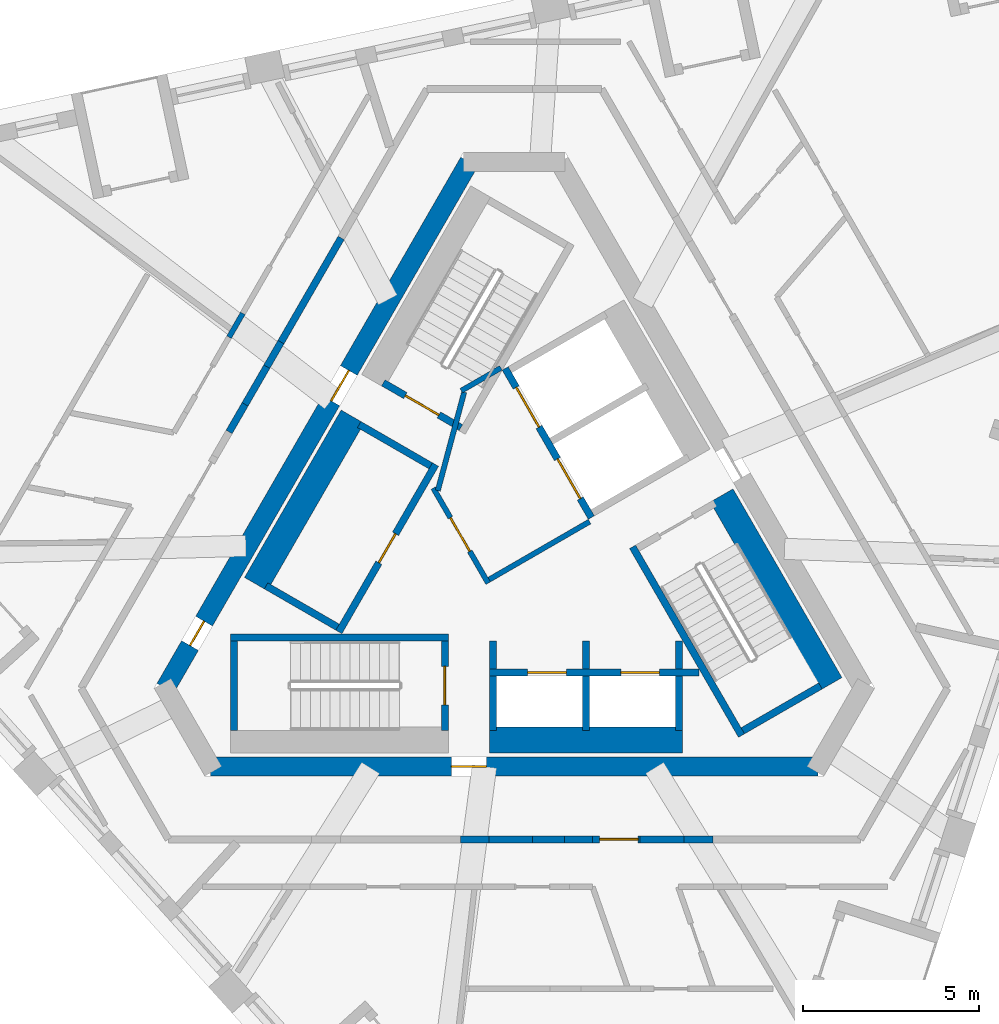
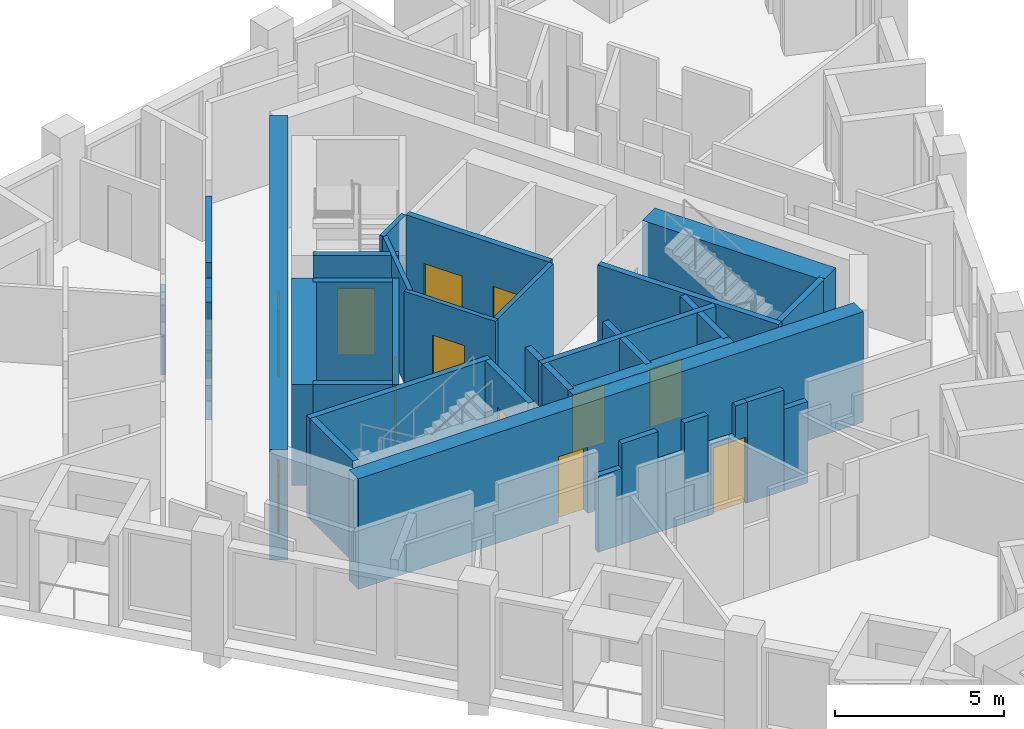
# One storey, part 4 of 12: 38 walls, 12 doors, 12 openings.
"""IFC4 building model written with IfcOpenShell, lengths in metres."""

from ifc_helpers import new_model, si_unit, direction, frame, frame_2d, origin, place, context, subcontext, project, spatial, polyline, rectangle, outline, extrude, material, layer, layer_set, type_object, element, fill, save


model = new_model("IFC4")

# Units and contexts
model_context = context("Model", 3, precision=1e-05, world=origin(), true_north=direction((0.0, 1.0)))
body_context = subcontext(model_context, "Body", "Model", "MODEL_VIEW")
ifc_project = project(units=[si_unit("LENGTHUNIT", "METRE"), si_unit("AREAUNIT", "SQUARE_METRE"), si_unit("VOLUMEUNIT", "CUBIC_METRE"), si_unit("PLANEANGLEUNIT", "RADIAN"), si_unit("MASSUNIT", "GRAM", prefix="KILO")], contexts=[model_context])

# Site, building, storey
site_placement = place(None, origin())
site = spatial("IfcSite", under=ifc_project, at=site_placement, CompositionType="ELEMENT")
building_placement = place(site_placement, origin())
building = spatial("IfcBuilding", under=site, at=building_placement, Name="Tramontana Tower", CompositionType="ELEMENT")
storey_placement = place(building_placement, frame((0.0, 0.0, 320.39990234375)))
storey = spatial("IfcBuildingStorey", under=building, at=storey_placement, Name="L73", CompositionType="ELEMENT", Elevation=320.39990234375)

# Wall, openings, doors
ifc_material_1 = material(Name="Concrete 70 MPa", Category="concrete")
ifc_layer_1 = layer(ifc_material_1, 0.550048828125)
ifc_layer_set_1 = layer_set([ifc_layer_1], Name="Core wall 550 70 MPa")
wall_type_1 = type_object("IfcWallType", Name="Core wall 550 70 MPa", PredefinedType="SHEAR", material=ifc_layer_set_1)
wall_1_placement = place(storey_placement, frame((-1.28466796875, 10.72509765625, 0.0), z_axis=(0.0, 0.0, 1.0), x_axis=(-0.499994590896, -0.86602852671, 0.0)))
wall_1 = element("IfcWall", 1, at=wall_1_placement, inside=storey, type_object=wall_type_1, Name="Core wall C1 L73", PredefinedType="SHEAR", context=body_context, shape_type="SweptSolid", body=[
    extrude(rectangle(XDim=17.291748046875, YDim=0.550048828125, at=frame_2d((8.64599609375, 0.0))), origin(), (0.0, 0.0, 1.0), 4.0),
])
opening_1_placement = place(wall_1_placement, frame((6.850830078125, 0.0, 0.0)))
opening_1 = element("IfcOpeningElement", 2, at=opening_1_placement, cuts=wall_1, Name="Opening RG1", PredefinedType="OPENING", context=body_context, shape_type="SweptSolid", body=[
    extrude(rectangle(XDim=1.0, YDim=2.39990234375, at=frame_2d((0.5, 1.199951171875))), frame((0.0, 0.284912109375, 0.0), z_axis=(0.0, -1.0, 0.0), x_axis=(1.0, 0.0, 0.0)), (0.0, 0.0, 1.0), 0.570068359375),
])
opening_2_placement = place(wall_1_placement, frame((15.0888671875, 0.0, 0.0)))
opening_2 = element("IfcOpeningElement", 3, at=opening_2_placement, cuts=wall_1, Name="Opening PD1", PredefinedType="OPENING", context=body_context, shape_type="SweptSolid", body=[
    extrude(rectangle(XDim=0.800048828125, YDim=2.10009765625, at=frame_2d((0.39990234375, 1.050048828125))), frame((0.0, 0.284912109375, 0.0), z_axis=(0.0, -1.0, 0.0), x_axis=(1.0, 0.0, 0.0)), (0.0, 0.0, 1.0), 0.570068359375),
])
ifc_material_2 = material(Name="Painted steel", Category="steel")
door_type_1 = type_object("IfcDoorType", Name="CUPBOARD DOOR 800", OperationType="SINGLE_SWING_LEFT", PredefinedType="DOOR", material=ifc_material_2)
door_1_placement = place(opening_2_placement, origin())
door_1 = element("IfcDoor", 4, at=door_1_placement, inside=storey, type_object=door_type_1, Name="Door PD1", OperationType="SINGLE_SWING_RIGHT", OverallHeight=2.10009765625, OverallWidth=0.800048828125, PredefinedType="DOOR", context=body_context, shape_type="SweptSolid", body=[
    extrude(rectangle(XDim=0.800048828125, YDim=2.10009765625, at=frame_2d((0.39990234375, 1.050048828125))), frame((0.0, 0.02490234375, 0.0), z_axis=(0.0, -1.0, 0.0), x_axis=(1.0, 0.0, 0.0)), (0.0, 0.0, 1.0), 0.050048828125),
])
fill(opening_2, door_1)
ifc_material_3 = material(Name="Painted steel", Category="steel")
door_type_2 = type_object("IfcDoorType", Name="RING DOOR 1000", OperationType="SINGLE_SWING_LEFT", PredefinedType="DOOR", material=ifc_material_3)
door_2_placement = place(opening_1_placement, origin())
door_2 = element("IfcDoor", 5, at=door_2_placement, inside=storey, type_object=door_type_2, Name="Door RG1", OperationType="SINGLE_SWING_LEFT", OverallHeight=2.39990234375, OverallWidth=1.0, PredefinedType="DOOR", context=body_context, shape_type="SweptSolid", body=[
    extrude(rectangle(XDim=1.0, YDim=2.39990234375, at=frame_2d((0.5, 1.199951171875))), frame((0.0, 0.02490234375, 0.0), z_axis=(0.0, -1.0, 0.0), x_axis=(1.0, 0.0, 0.0)), (0.0, 0.0, 1.0), 0.050048828125),
])
fill(opening_1, door_2)

# Wall, opening, door
wall_2_placement = place(storey_placement, frame((-8.645751953125, -6.47509765625, 0.0), z_axis=(0.0, 0.0, 1.0), x_axis=(1.0, 0.0, 0.0)))
wall_2 = element("IfcWall", 6, at=wall_2_placement, inside=storey, type_object=wall_type_1, Name="Core wall C3 L73", PredefinedType="SHEAR", context=body_context, shape_type="SweptSolid", body=[
    extrude(rectangle(XDim=17.29150390625, YDim=0.550048828125, at=frame_2d((8.645751953125, 0.0))), origin(), (0.0, 0.0, 1.0), 4.0),
])
opening_3_placement = place(wall_2_placement, frame((6.850830078125, 0.0, 0.0)))
opening_3 = element("IfcOpeningElement", 7, at=opening_3_placement, cuts=wall_2, Name="Opening RG2", PredefinedType="OPENING", context=body_context, shape_type="SweptSolid", body=[
    extrude(rectangle(XDim=1.0, YDim=2.39990234375, at=frame_2d((0.5, 1.199951171875))), frame((0.0, 0.284912109375, 0.0), z_axis=(0.0, -1.0, 0.0), x_axis=(1.0, 0.0, 0.0)), (0.0, 0.0, 1.0), 0.570068359375),
])
door_3_placement = place(opening_3_placement, origin())
door_3 = element("IfcDoor", 8, at=door_3_placement, inside=storey, type_object=door_type_2, Name="Door RG2", OperationType="SINGLE_SWING_RIGHT", OverallHeight=2.39990234375, OverallWidth=1.0, PredefinedType="DOOR", context=body_context, shape_type="SweptSolid", body=[
    extrude(rectangle(XDim=1.0, YDim=2.39990234375, at=frame_2d((0.5, 1.199951171875))), frame((0.0, 0.02490234375, 0.0), z_axis=(0.0, -1.0, 0.0), x_axis=(1.0, 0.0, 0.0)), (0.0, 0.0, 1.0), 0.050048828125),
])
fill(opening_3, door_3)

# Walls
ifc_material_4 = material(Name="Blockwork", Category="masonry")
ifc_layer_2 = layer(ifc_material_4, 0.199951171875)
ifc_layer_set_2 = layer_set([ifc_layer_2], Name="ENTRY WALL 200")
wall_type_2 = type_object("IfcWallType", Name="ENTRY WALL 200", PredefinedType="SOLIDWALL", material=ifc_layer_set_2)
wall_3_placement = place(storey_placement, frame((5.6494140625, -8.550048828125, 0.0), z_axis=(0.0, 0.0, 1.0), x_axis=(-1.0, 0.0, 0.0)))
element("IfcWall", 9, at=wall_3_placement, inside=storey, type_object=wall_type_2, Name="Wall v80-ew1-1", PredefinedType="SOLIDWALL", context=body_context, shape_type="SweptSolid", body=[
    extrude(rectangle(XDim=0.821044921875, YDim=0.199951171875, at=frame_2d((0.41064453125, 0.0))), origin(), (0.0, 0.0, 1.0), 2.9501953125),
])
wall_4_placement = place(storey_placement, frame((4.828369140625, -8.550048828125, 0.0), z_axis=(0.0, 0.0, 1.0), x_axis=(-1.0, 0.0, 0.0)))
element("IfcWall", 10, at=wall_4_placement, inside=storey, type_object=wall_type_2, Name="Wall v80-ew1-2", PredefinedType="SOLIDWALL", context=body_context, shape_type="SweptSolid", body=[
    extrude(rectangle(XDim=1.254638671875, YDim=0.199951171875, at=frame_2d((0.62744140625, 0.0))), origin(), (0.0, 0.0, 1.0), 3.650146484375),
])

# Wall, opening, door
wall_5_placement = place(storey_placement, frame((2.22900390625, -8.550048828125, 0.0), z_axis=(0.0, 0.0, 1.0), x_axis=(1.0, 0.0, 0.0)))
wall_5 = element("IfcWall", 11, at=wall_5_placement, inside=storey, type_object=wall_type_2, Name="Wall v80-ew1-3", PredefinedType="SOLIDWALL", context=body_context, shape_type="SweptSolid", body=[
    extrude(outline(polyline([(0.0, 0.0), (1.3447265625, 0.0), (1.3447265625, 3.650146484375), (0.94384765625, 3.650146484375), (0.94384765625, 2.550048828125), (0.0, 2.550048828125), (0.0, 0.0)])), frame((0.0, 0.10009765625, 0.0), z_axis=(0.0, -1.0, 0.0), x_axis=(1.0, 0.0, 0.0)), (0.0, 0.0, 1.0), 0.199951171875),
])
opening_4_placement = place(wall_5_placement, frame((0.19482421875, 0.0, 0.0)))
opening_4 = element("IfcOpeningElement", 12, at=opening_4_placement, cuts=wall_5, Name="Opening B8A-20", PredefinedType="OPENING", context=body_context, shape_type="SweptSolid", body=[
    extrude(rectangle(XDim=1.10009765625, YDim=2.39990234375, at=frame_2d((0.550048828125, 1.199951171875))), frame((0.0, 0.10986328125, 0.0), z_axis=(0.0, -1.0, 0.0), x_axis=(1.0, 0.0, 0.0)), (0.0, 0.0, 1.0), 0.219970703125),
])
ifc_material_5 = material(Name="Painted timber", Category="wood")
door_type_3 = type_object("IfcDoorType", Name="DOOR ENTRY 1100", OperationType="SINGLE_SWING_LEFT", PredefinedType="DOOR", material=ifc_material_5)
door_4_placement = place(opening_4_placement, origin())
door_4 = element("IfcDoor", 13, at=door_4_placement, inside=storey, type_object=door_type_3, Name="Door B8A-20", OperationType="SINGLE_SWING_RIGHT", OverallHeight=2.39990234375, OverallWidth=1.10009765625, PredefinedType="DOOR", context=body_context, shape_type="SweptSolid", body=[
    extrude(rectangle(XDim=1.10009765625, YDim=2.39990234375, at=frame_2d((0.550048828125, 1.199951171875))), frame((0.0, 0.02490234375, 0.0), z_axis=(0.0, -1.0, 0.0), x_axis=(1.0, 0.0, 0.0)), (0.0, 0.0, 1.0), 0.050048828125),
])
fill(opening_4, door_4)

# Walls
wall_6_placement = place(storey_placement, frame((2.22900390625, -8.550048828125, 0.0), z_axis=(0.0, 0.0, 1.0), x_axis=(-1.0, 0.0, 0.0)))
element("IfcWall", 14, at=wall_6_placement, inside=storey, type_object=wall_type_2, Name="Wall v80-ew1-4", PredefinedType="SOLIDWALL", context=body_context, shape_type="SweptSolid", body=[
    extrude(rectangle(XDim=0.806640625, YDim=0.199951171875, at=frame_2d((0.4033203125, 0.0))), origin(), (0.0, 0.0, 1.0), 3.650146484375),
])
wall_7_placement = place(storey_placement, frame((1.42236328125, -8.550048828125, 0.0), z_axis=(0.0, 0.0, 1.0), x_axis=(-1.0, 0.0, 0.0)))
element("IfcWall", 15, at=wall_7_placement, inside=storey, type_object=wall_type_2, Name="Wall v80-ew1-5", PredefinedType="SOLIDWALL", context=body_context, shape_type="SweptSolid", body=[
    extrude(rectangle(XDim=0.90576171875, YDim=0.199951171875, at=frame_2d((0.452880859375, 0.0))), origin(), (0.0, 0.0, 1.0), 2.550048828125),
])
wall_8_placement = place(storey_placement, frame((0.5166015625, -8.550048828125, 0.0), z_axis=(0.0, 0.0, 1.0), x_axis=(-1.0, 0.0, 0.0)))
element("IfcWall", 16, at=wall_8_placement, inside=storey, type_object=wall_type_2, Name="Wall v80-ew1-6", PredefinedType="SOLIDWALL", context=body_context, shape_type="SweptSolid", body=[
    extrude(rectangle(XDim=1.23828125, YDim=0.199951171875, at=frame_2d((0.619140625, 0.0))), origin(), (0.0, 0.0, 1.0), 3.650146484375),
])
wall_9_placement = place(storey_placement, frame((-0.7216796875, -8.550048828125, 0.0), z_axis=(0.0, 0.0, 1.0), x_axis=(-1.0, 0.0, 0.0)))
element("IfcWall", 17, at=wall_9_placement, inside=storey, type_object=wall_type_2, Name="Wall v80-ew1-7", PredefinedType="SOLIDWALL", context=body_context, shape_type="SweptSolid", body=[
    extrude(rectangle(XDim=0.806884765625, YDim=0.199951171875, at=frame_2d((0.4033203125, 0.0))), origin(), (0.0, 0.0, 1.0), 2.75),
])
wall_10_placement = place(storey_placement, frame((-8.11572265625, 3.043212890625, 0.0), z_axis=(0.0, 0.0, 1.0), x_axis=(0.499994660107, 0.866028486751, 0.0)))
element("IfcWall", 18, at=wall_10_placement, inside=storey, type_object=wall_type_2, Name="Wall v80-ew3-5", PredefinedType="SOLIDWALL", context=body_context, shape_type="SweptSolid", body=[
    extrude(rectangle(XDim=0.90576171875, YDim=0.199951171875, at=frame_2d((0.452880859375, 0.0))), origin(), (0.0, 0.0, 1.0), 2.550048828125),
])
wall_11_placement = place(storey_placement, frame((-7.662841796875, 3.82763671875, 0.0), z_axis=(0.0, 0.0, 1.0), x_axis=(0.499955681623, 0.866050989499, 0.0)))
element("IfcWall", 19, at=wall_11_placement, inside=storey, type_object=wall_type_2, Name="Wall v80-ew3-6", PredefinedType="SOLIDWALL", context=body_context, shape_type="SweptSolid", body=[
    extrude(rectangle(XDim=1.23828125, YDim=0.199951171875, at=frame_2d((0.619140625, 0.0))), origin(), (0.0, 0.0, 1.0), 3.650146484375),
])
wall_12_placement = place(storey_placement, frame((-7.043701171875, 4.900146484375, 0.0), z_axis=(0.0, 0.0, 1.0), x_axis=(0.500141487433, 0.865943700565, 0.0)))
element("IfcWall", 20, at=wall_12_placement, inside=storey, type_object=wall_type_2, Name="Wall v80-ew3-7", PredefinedType="SOLIDWALL", context=body_context, shape_type="SweptSolid", body=[
    extrude(rectangle(XDim=0.806884765625, YDim=0.199951171875, at=frame_2d((0.4033203125, 0.0))), origin(), (0.0, 0.0, 1.0), 2.75),
])
wall_13_placement = place(storey_placement, frame((-6.64013671875, 5.598876953125, 0.0), z_axis=(0.0, 0.0, 1.0), x_axis=(0.499989998285, 0.8660311782, 0.0)))
element("IfcWall", 21, at=wall_13_placement, inside=storey, type_object=wall_type_2, Name="Wall v80-ew3-8", PredefinedType="SOLIDWALL", context=body_context, shape_type="SweptSolid", body=[
    extrude(rectangle(XDim=3.4228515625, YDim=0.199951171875, at=frame_2d((1.71142578125, 0.0))), origin(), (0.0, 0.0, 1.0), 3.650146484375),
])

# Wall, opening, door
ifc_material_6 = material(Name="Gypsum board partition")
ifc_layer_3 = layer(ifc_material_6, 0.14990234375)
ifc_layer_set_3 = layer_set([ifc_layer_3], Name="PARTITION 150")
wall_type_3 = type_object("IfcWallType", Name="PARTITION 150", PredefinedType="PARTITIONING", material=ifc_layer_set_3)
wall_14_placement = place(storey_placement, frame((-0.744140625, -1.260986328125, 0.0), z_axis=(0.0, 0.0, 1.0), x_axis=(-0.500004234368, 0.866022959057, 0.0)))
wall_14 = element("IfcWall", 22, at=wall_14_placement, inside=storey, type_object=wall_type_3, Name="Wall ff-front", PredefinedType="PARTITIONING", context=body_context, shape_type="SweptSolid", body=[
    extrude(rectangle(XDim=3.125, YDim=0.14990234375, at=frame_2d((1.5625, 0.0))), origin(), (0.0, 0.0, 1.0), 3.650146484375),
])
opening_5_placement = place(wall_14_placement, frame((1.050048828125, 0.0, 0.0)))
opening_5 = element("IfcOpeningElement", 23, at=opening_5_placement, cuts=wall_14, Name="Opening FD1", PredefinedType="OPENING", context=body_context, shape_type="SweptSolid", body=[
    extrude(rectangle(XDim=1.10009765625, YDim=2.39990234375, at=frame_2d((0.550048828125, 1.199951171875))), frame((0.0, 0.0849609375, 0.0), z_axis=(0.0, -1.0, 0.0), x_axis=(1.0, 0.0, 0.0)), (0.0, 0.0, 1.0), 0.169921875),
])
door_5_placement = place(opening_5_placement, origin())
door_5 = element("IfcDoor", 24, at=door_5_placement, inside=storey, type_object=door_type_3, Name="Door FD1", OperationType="SINGLE_SWING_RIGHT", OverallHeight=2.39990234375, OverallWidth=1.10009765625, PredefinedType="DOOR", context=body_context, shape_type="SweptSolid", body=[
    extrude(rectangle(XDim=1.10009765625, YDim=2.39990234375, at=frame_2d((0.550048828125, 1.199951171875))), frame((0.0, 0.02490234375, 0.0), z_axis=(0.0, -1.0, 0.0), x_axis=(1.0, 0.0, 0.0)), (0.0, 0.0, 1.0), 0.050048828125),
])
fill(opening_5, door_5)

# Walls
wall_15_placement = place(storey_placement, frame((-0.716796875, -1.15869140625, 0.0), z_axis=(0.0, 0.0, 1.0), x_axis=(0.866008176907, 0.50002983664, 0.0)))
element("IfcWall", 25, at=wall_15_placement, inside=storey, type_object=wall_type_3, Name="Wall ff-end0", PredefinedType="PARTITIONING", context=body_context, shape_type="SweptSolid", body=[
    extrude(rectangle(XDim=3.300048828125, YDim=0.14990234375, at=frame_2d((1.64990234375, 0.0))), origin(), (0.0, 0.0, 1.0), 3.650146484375),
])
wall_16_placement = place(storey_placement, frame((-2.177978515625, 1.372314453125, 0.0), z_axis=(0.0, 0.0, 1.0), x_axis=(0.258808958833, 0.96592852884, 0.0)))
element("IfcWall", 26, at=wall_16_placement, inside=storey, type_object=wall_type_3, Name="Wall ff-diag", PredefinedType="PARTITIONING", context=body_context, shape_type="SweptSolid", body=[
    extrude(rectangle(XDim=2.902587890625, YDim=0.14990234375, at=frame_2d((1.451171875, 0.0))), origin(), (0.0, 0.0, 1.0), 3.650146484375),
])
wall_17_placement = place(storey_placement, frame((-1.509765625, 4.21484375, 0.0), z_axis=(0.0, 0.0, 1.0), x_axis=(0.866085525409, 0.49989585183, 0.0)))
element("IfcWall", 27, at=wall_17_placement, inside=storey, type_object=wall_type_3, Name="Wall ff-end1", PredefinedType="PARTITIONING", context=body_context, shape_type="SweptSolid", body=[
    extrude(rectangle(XDim=1.300048828125, YDim=0.14990234375, at=frame_2d((0.64990234375, 0.0))), origin(), (0.0, 0.0, 1.0), 3.650146484375),
])
wall_18_placement = place(storey_placement, frame((-8.11767578125, 5.73974609375, 0.0), z_axis=(0.0, 0.0, 1.0), x_axis=(0.500001804394, 0.866024362014, 0.0)))
element("IfcWall", 28, at=wall_18_placement, inside=storey, type_object=wall_type_3, Name="Wall v80-pw08-3", PredefinedType="PARTITIONING", context=body_context, shape_type="SweptSolid", body=[
    extrude(rectangle(XDim=0.78173828125, YDim=0.14990234375, at=frame_2d((0.390869140625, 0.0))), origin(), (0.0, 0.0, 1.0), 2.75),
])
ifc_material_7 = material(Name="Concrete 70 MPa", Category="concrete")
ifc_layer_4 = layer(ifc_material_7, 0.75)
ifc_layer_set_4 = layer_set([ifc_layer_4], Name="Concrete 70 MPa, 750 mm")
wall_type_4 = type_object("IfcWallType", Name="RC SHAFT BACK WALL 750", PredefinedType="SOLIDWALL", material=ifc_layer_set_4)
wall_19_placement = place(storey_placement, frame((8.998046875, -4.135009765625, 0.0), z_axis=(0.0, 0.0, 1.0), x_axis=(-0.500009909098, 0.866019682689, 0.0)))
element("IfcWall", 29, at=wall_19_placement, inside=storey, type_object=wall_type_4, Name="Wall st3-back", PredefinedType="SOLIDWALL", context=body_context, shape_type="SweptSolid", body=[
    extrude(rectangle(XDim=6.199951171875, YDim=0.75, at=frame_2d((3.10009765625, 0.0))), origin(), (0.0, 0.0, 1.0), 3.650146484375),
])
wall_20_placement = place(storey_placement, frame((-4.60302734375, 3.477294921875, 0.0), z_axis=(0.0, 0.0, 1.0), x_axis=(-0.500015767406, -0.866016300277, 0.0)))
element("IfcWall", 30, at=wall_20_placement, inside=storey, type_object=wall_type_4, Name="Wall row0-back", PredefinedType="SOLIDWALL", context=body_context, shape_type="SweptSolid", body=[
    extrude(rectangle(XDim=5.499755859375, YDim=0.75, at=frame_2d((2.75, 0.0))), origin(), (0.0, 0.0, 1.0), 3.650146484375),
])
wall_21_placement = place(storey_placement, frame((-0.7099609375, -5.72509765625, 0.0), z_axis=(0.0, 0.0, 1.0), x_axis=(1.0, 0.0, 0.0)))
element("IfcWall", 31, at=wall_21_placement, inside=storey, type_object=wall_type_4, Name="Wall row1-back", PredefinedType="SOLIDWALL", context=body_context, shape_type="SweptSolid", body=[
    extrude(rectangle(XDim=5.5, YDim=0.75, at=frame_2d((2.75, 0.0))), origin(), (0.0, 0.0, 1.0), 3.650146484375),
])

# Wall, opening, door
ifc_material_8 = material(Name="Concrete 70 MPa", Category="concrete")
ifc_layer_5 = layer(ifc_material_8, 0.199951171875)
ifc_layer_set_5 = layer_set([ifc_layer_5], Name="Concrete 70 MPa, 200 mm")
wall_type_5 = type_object("IfcWallType", Name="RC STAIR AND SHAFT WALL 200", PredefinedType="SOLIDWALL", material=ifc_layer_set_5)
wall_22_placement = place(storey_placement, frame((-1.521484375, 3.164794921875, 0.0), z_axis=(0.0, 0.0, 1.0), x_axis=(-0.866030925526, 0.499990435942, 0.0)))
wall_22 = element("IfcWall", 32, at=wall_22_placement, inside=storey, type_object=wall_type_5, Name="Wall st1-near", PredefinedType="SOLIDWALL", context=body_context, shape_type="SweptSolid", body=[
    extrude(rectangle(XDim=2.5498046875, YDim=0.199951171875, at=frame_2d((1.27490234375, 0.0))), origin(), (0.0, 0.0, 1.0), 3.650146484375),
])
opening_6_placement = place(wall_22_placement, frame((0.72509765625, 0.0, 0.0)))
opening_6 = element("IfcOpeningElement", 33, at=opening_6_placement, cuts=wall_22, Name="Opening SD1", PredefinedType="OPENING", context=body_context, shape_type="SweptSolid", body=[
    extrude(rectangle(XDim=1.10009765625, YDim=2.39990234375, at=frame_2d((0.550048828125, 1.199951171875))), frame((0.0, 0.10986328125, 0.0), z_axis=(0.0, -1.0, 0.0), x_axis=(1.0, 0.0, 0.0)), (0.0, 0.0, 1.0), 0.219970703125),
])
ifc_material_9 = material(Name="Painted steel", Category="steel")
door_type_4 = type_object("IfcDoorType", Name="STAIR DOOR 1100", OperationType="SINGLE_SWING_LEFT", PredefinedType="DOOR", material=ifc_material_9)
door_6_placement = place(opening_6_placement, origin())
door_6 = element("IfcDoor", 34, at=door_6_placement, inside=storey, type_object=door_type_4, Name="Door SD1", OperationType="SINGLE_SWING_RIGHT", OverallHeight=2.39990234375, OverallWidth=1.10009765625, PredefinedType="DOOR", context=body_context, shape_type="SweptSolid", body=[
    extrude(rectangle(XDim=1.10009765625, YDim=2.39990234375, at=frame_2d((0.550048828125, 1.199951171875))), frame((0.0, 0.02490234375, 0.0), z_axis=(0.0, -1.0, 0.0), x_axis=(1.0, 0.0, 0.0)), (0.0, 0.0, 1.0), 0.050048828125),
])
fill(opening_6, door_6)

# Walls
wall_23_placement = place(storey_placement, frame((-8.080078125, -2.800048828125, 0.0), z_axis=(0.0, 0.0, 1.0), x_axis=(1.0, 0.0, 0.0)))
element("IfcWall", 35, at=wall_23_placement, inside=storey, type_object=wall_type_5, Name="Wall st2-front", PredefinedType="SOLIDWALL", context=body_context, shape_type="SweptSolid", body=[
    extrude(rectangle(XDim=6.2001953125, YDim=0.199951171875, at=frame_2d((3.10009765625, 0.0))), origin(), (0.0, 0.0, 1.0), 3.650146484375),
])
wall_24_placement = place(storey_placement, frame((-7.97998046875, -2.89990234375, 0.0), z_axis=(0.0, 0.0, 1.0), x_axis=(0.0, -1.0, 0.0)))
element("IfcWall", 36, at=wall_24_placement, inside=storey, type_object=wall_type_5, Name="Wall st2-far", PredefinedType="SOLIDWALL", context=body_context, shape_type="SweptSolid", body=[
    extrude(rectangle(XDim=2.550048828125, YDim=0.199951171875, at=frame_2d((1.27490234375, 0.0))), origin(), (0.0, 0.0, 1.0), 3.650146484375),
])

# Wall, opening, door
wall_25_placement = place(storey_placement, frame((-1.97998046875, -2.89990234375, 0.0), z_axis=(0.0, 0.0, 1.0), x_axis=(0.0, -1.0, 0.0)))
wall_25 = element("IfcWall", 37, at=wall_25_placement, inside=storey, type_object=wall_type_5, Name="Wall st2-near", PredefinedType="SOLIDWALL", context=body_context, shape_type="SweptSolid", body=[
    extrude(rectangle(XDim=2.550048828125, YDim=0.199951171875, at=frame_2d((1.27490234375, 0.0))), origin(), (0.0, 0.0, 1.0), 3.650146484375),
])
opening_7_placement = place(wall_25_placement, frame((0.72509765625, 0.0, 0.0)))
opening_7 = element("IfcOpeningElement", 38, at=opening_7_placement, cuts=wall_25, Name="Opening SD2", PredefinedType="OPENING", context=body_context, shape_type="SweptSolid", body=[
    extrude(rectangle(XDim=1.10009765625, YDim=2.39990234375, at=frame_2d((0.550048828125, 1.199951171875))), frame((0.0, 0.10986328125, 0.0), z_axis=(0.0, -1.0, 0.0), x_axis=(1.0, 0.0, 0.0)), (0.0, 0.0, 1.0), 0.219970703125),
])
door_7_placement = place(opening_7_placement, origin())
door_7 = element("IfcDoor", 39, at=door_7_placement, inside=storey, type_object=door_type_4, Name="Door SD2", OperationType="SINGLE_SWING_LEFT", OverallHeight=2.39990234375, OverallWidth=1.10009765625, PredefinedType="DOOR", context=body_context, shape_type="SweptSolid", body=[
    extrude(rectangle(XDim=1.10009765625, YDim=2.39990234375, at=frame_2d((0.550048828125, 1.199951171875))), frame((0.0, 0.02490234375, 0.0), z_axis=(0.0, -1.0, 0.0), x_axis=(1.0, 0.0, 0.0)), (0.0, 0.0, 1.0), 0.050048828125),
])
fill(opening_7, door_7)

# Walls
wall_26_placement = place(storey_placement, frame((6.46484375, -5.597412109375, 0.0), z_axis=(0.0, 0.0, 1.0), x_axis=(-0.49998037582, 0.866036733513, 0.0)))
element("IfcWall", 40, at=wall_26_placement, inside=storey, type_object=wall_type_5, Name="Wall st3-front", PredefinedType="SOLIDWALL", context=body_context, shape_type="SweptSolid", body=[
    extrude(rectangle(XDim=6.199951171875, YDim=0.199951171875, at=frame_2d((3.10009765625, 0.0))), origin(), (0.0, 0.0, 1.0), 3.650146484375),
])
wall_27_placement = place(storey_placement, frame((6.50146484375, -5.4609375, 0.0), z_axis=(0.0, 0.0, 1.0), x_axis=(0.865989465428, 0.500062241894, 0.0)))
element("IfcWall", 41, at=wall_27_placement, inside=storey, type_object=wall_type_5, Name="Wall st3-far", PredefinedType="SOLIDWALL", context=body_context, shape_type="SweptSolid", body=[
    extrude(rectangle(XDim=2.550048828125, YDim=0.199951171875, at=frame_2d((1.27490234375, 0.0))), origin(), (0.0, 0.0, 1.0), 3.650146484375),
])

# Wall, opening, door
wall_28_placement = place(storey_placement, frame((-4.9931640625, -2.648193359375, 0.0), z_axis=(0.0, 0.0, 1.0), x_axis=(0.499996545922, 0.866027397988, 0.0)))
wall_28 = element("IfcWall", 42, at=wall_28_placement, inside=storey, type_object=wall_type_5, Name="Wall row0-front", PredefinedType="SOLIDWALL", context=body_context, shape_type="SweptSolid", body=[
    extrude(rectangle(XDim=5.5, YDim=0.199951171875, at=frame_2d((2.75, 0.0))), origin(), (0.0, 0.0, 1.0), 3.650146484375),
])
opening_8_placement = place(wall_28_placement, frame((2.27490234375, 0.0, 0.0)))
opening_8 = element("IfcOpeningElement", 43, at=opening_8_placement, cuts=wall_28, Name="Opening RD-0", PredefinedType="OPENING", context=body_context, shape_type="SweptSolid", body=[
    extrude(rectangle(XDim=0.949951171875, YDim=2.39990234375, at=frame_2d((0.47509765625, 1.199951171875))), frame((0.0, 0.10986328125, 0.0), z_axis=(0.0, -1.0, 0.0), x_axis=(1.0, 0.0, 0.0)), (0.0, 0.0, 1.0), 0.219970703125),
])
ifc_material_10 = material(Name="Painted timber", Category="wood")
door_type_5 = type_object("IfcDoorType", Name="DOOR ROOM 950", OperationType="SINGLE_SWING_LEFT", PredefinedType="DOOR", material=ifc_material_10)
door_8_placement = place(opening_8_placement, origin())
door_8 = element("IfcDoor", 44, at=door_8_placement, inside=storey, type_object=door_type_5, Name="Door RD-0", OperationType="SINGLE_SWING_LEFT", OverallHeight=2.39990234375, OverallWidth=0.949951171875, PredefinedType="DOOR", context=body_context, shape_type="SweptSolid", body=[
    extrude(rectangle(XDim=0.949951171875, YDim=2.39990234375, at=frame_2d((0.47509765625, 1.199951171875))), frame((0.0, 0.02490234375, 0.0), z_axis=(0.0, -1.0, 0.0), x_axis=(1.0, 0.0, 0.0)), (0.0, 0.0, 1.0), 0.050048828125),
])
fill(opening_8, door_8)

# Walls
wall_29_placement = place(storey_placement, frame((-2.379638671875, 2.078369140625, 0.0), z_axis=(0.0, 0.0, 1.0), x_axis=(-0.866061024631, 0.499938297808, 0.0)))
element("IfcWall", 45, at=wall_29_placement, inside=storey, type_object=wall_type_5, Name="Wall row0-side0", PredefinedType="SOLIDWALL", context=body_context, shape_type="SweptSolid", body=[
    extrude(rectangle(XDim=2.349853515625, YDim=0.199951171875, at=frame_2d((1.1748046875, 0.0))), origin(), (0.0, 0.0, 1.0), 3.650146484375),
])
wall_30_placement = place(storey_placement, frame((-5.02978515625, -2.51171875, 0.0), z_axis=(0.0, 0.0, 1.0), x_axis=(-0.866016039709, 0.500016218704, 0.0)))
element("IfcWall", 46, at=wall_30_placement, inside=storey, type_object=wall_type_5, Name="Wall row0-side2", PredefinedType="SOLIDWALL", context=body_context, shape_type="SweptSolid", body=[
    extrude(rectangle(XDim=2.35009765625, YDim=0.199951171875, at=frame_2d((1.175048828125, 0.0))), origin(), (0.0, 0.0, 1.0), 3.650146484375),
])

# Wall, openings, doors
wall_31_placement = place(storey_placement, frame((-0.7099609375, -3.800048828125, 0.0), z_axis=(0.0, 0.0, 1.0), x_axis=(1.0, 0.0, 0.0)))
wall_31 = element("IfcWall", 47, at=wall_31_placement, inside=storey, type_object=wall_type_5, Name="Wall row1-front", PredefinedType="SOLIDWALL", context=body_context, shape_type="SweptSolid", body=[
    extrude(rectangle(XDim=5.96142578125, YDim=0.199951171875, at=frame_2d((2.980712890625, 0.0))), origin(), (0.0, 0.0, 1.0), 3.650146484375),
])
opening_9_placement = place(wall_31_placement, frame((1.090087890625, 0.0, 0.0)))
opening_9 = element("IfcOpeningElement", 48, at=opening_9_placement, cuts=wall_31, Name="Opening LD-S1", PredefinedType="OPENING", context=body_context, shape_type="SweptSolid", body=[
    extrude(rectangle(XDim=1.10009765625, YDim=2.10009765625, at=frame_2d((0.550048828125, 1.050048828125))), frame((0.0, 0.10986328125, 0.0), z_axis=(0.0, -1.0, 0.0), x_axis=(1.0, 0.0, 0.0)), (0.0, 0.0, 1.0), 0.219970703125),
])
opening_10_placement = place(wall_31_placement, frame((3.739990234375, 0.0, 0.0)))
opening_10 = element("IfcOpeningElement", 49, at=opening_10_placement, cuts=wall_31, Name="Opening LD-S2", PredefinedType="OPENING", context=body_context, shape_type="SweptSolid", body=[
    extrude(rectangle(XDim=1.10009765625, YDim=2.10009765625, at=frame_2d((0.550048828125, 1.050048828125))), frame((0.0, 0.10986328125, 0.0), z_axis=(0.0, -1.0, 0.0), x_axis=(1.0, 0.0, 0.0)), (0.0, 0.0, 1.0), 0.219970703125),
])
ifc_material_11 = material(Name="Brushed steel", Category="steel")
door_type_6 = type_object("IfcDoorType", Name="LANDING DOOR 1100", OperationType="SINGLE_SWING_LEFT", PredefinedType="DOOR", material=ifc_material_11)
door_9_placement = place(opening_9_placement, origin())
door_9 = element("IfcDoor", 50, at=door_9_placement, inside=storey, type_object=door_type_6, Name="Door LD-S1", OperationType="SLIDING_TO_RIGHT", OverallHeight=2.10009765625, OverallWidth=1.10009765625, PredefinedType="DOOR", context=body_context, shape_type="SweptSolid", body=[
    extrude(rectangle(XDim=1.10009765625, YDim=2.10009765625, at=frame_2d((0.550048828125, 1.050048828125))), frame((0.0, 0.02490234375, 0.0), z_axis=(0.0, -1.0, 0.0), x_axis=(1.0, 0.0, 0.0)), (0.0, 0.0, 1.0), 0.050048828125),
])
fill(opening_9, door_9)
door_10_placement = place(opening_10_placement, origin())
door_10 = element("IfcDoor", 51, at=door_10_placement, inside=storey, type_object=door_type_6, Name="Door LD-S2", OperationType="SLIDING_TO_LEFT", OverallHeight=2.10009765625, OverallWidth=1.10009765625, PredefinedType="DOOR", context=body_context, shape_type="SweptSolid", body=[
    extrude(rectangle(XDim=1.10009765625, YDim=2.10009765625, at=frame_2d((0.550048828125, 1.050048828125))), frame((0.0, 0.02490234375, 0.0), z_axis=(0.0, -1.0, 0.0), x_axis=(1.0, 0.0, 0.0)), (0.0, 0.0, 1.0), 0.050048828125),
])
fill(opening_10, door_10)

# Walls
wall_32_placement = place(storey_placement, frame((-0.610107421875, -3.89990234375, 0.0), z_axis=(0.0, 0.0, 1.0), x_axis=(0.0, -1.0, 0.0)))
element("IfcWall", 52, at=wall_32_placement, inside=storey, type_object=wall_type_5, Name="Wall row1-side0", PredefinedType="SOLIDWALL", context=body_context, shape_type="SweptSolid", body=[
    extrude(rectangle(XDim=1.550048828125, YDim=0.199951171875, at=frame_2d((0.77490234375, 0.0))), origin(), (0.0, 0.0, 1.0), 3.650146484375),
])
wall_33_placement = place(storey_placement, frame((-0.610107421875, -2.89990234375, 0.0), z_axis=(0.0, 0.0, 1.0), x_axis=(0.0, -1.0, 0.0)))
element("IfcWall", 53, at=wall_33_placement, inside=storey, type_object=wall_type_5, Name="Wall row1-side0-ret", PredefinedType="SOLIDWALL", context=body_context, shape_type="SweptSolid", body=[
    extrude(rectangle(XDim=0.800048828125, YDim=0.199951171875, at=frame_2d((0.39990234375, 0.0))), origin(), (0.0, 0.0, 1.0), 3.650146484375),
])
wall_34_placement = place(storey_placement, frame((2.0400390625, -3.89990234375, 0.0), z_axis=(0.0, 0.0, 1.0), x_axis=(0.0, -1.0, 0.0)))
element("IfcWall", 54, at=wall_34_placement, inside=storey, type_object=wall_type_5, Name="Wall row1-side1", PredefinedType="SOLIDWALL", context=body_context, shape_type="SweptSolid", body=[
    extrude(rectangle(XDim=1.550048828125, YDim=0.199951171875, at=frame_2d((0.77490234375, 0.0))), origin(), (0.0, 0.0, 1.0), 3.650146484375),
])
wall_35_placement = place(storey_placement, frame((2.0400390625, -2.89990234375, 0.0), z_axis=(0.0, 0.0, 1.0), x_axis=(0.0, -1.0, 0.0)))
element("IfcWall", 55, at=wall_35_placement, inside=storey, type_object=wall_type_5, Name="Wall row1-side1-ret", PredefinedType="SOLIDWALL", context=body_context, shape_type="SweptSolid", body=[
    extrude(rectangle(XDim=0.800048828125, YDim=0.199951171875, at=frame_2d((0.39990234375, 0.0))), origin(), (0.0, 0.0, 1.0), 3.650146484375),
])
wall_36_placement = place(storey_placement, frame((4.68994140625, -3.89990234375, 0.0), z_axis=(0.0, 0.0, 1.0), x_axis=(0.0, -1.0, 0.0)))
element("IfcWall", 56, at=wall_36_placement, inside=storey, type_object=wall_type_5, Name="Wall row1-side2", PredefinedType="SOLIDWALL", context=body_context, shape_type="SweptSolid", body=[
    extrude(rectangle(XDim=1.550048828125, YDim=0.199951171875, at=frame_2d((0.77490234375, 0.0))), origin(), (0.0, 0.0, 1.0), 3.650146484375),
])
wall_37_placement = place(storey_placement, frame((4.68994140625, -2.89990234375, 0.0), z_axis=(0.0, 0.0, 1.0), x_axis=(0.0, -1.0, 0.0)))
element("IfcWall", 57, at=wall_37_placement, inside=storey, type_object=wall_type_5, Name="Wall row1-side2-ret", PredefinedType="SOLIDWALL", context=body_context, shape_type="SweptSolid", body=[
    extrude(rectangle(XDim=0.800048828125, YDim=0.199951171875, at=frame_2d((0.39990234375, 0.0))), origin(), (0.0, 0.0, 1.0), 3.650146484375),
])

# Wall, openings, doors
wall_38_placement = place(storey_placement, frame((2.190185546875, 0.6064453125, 0.0), z_axis=(0.0, 0.0, 1.0), x_axis=(-0.500002801628, 0.866023786258, 0.0)))
wall_38 = element("IfcWall", 58, at=wall_38_placement, inside=storey, type_object=wall_type_5, Name="Wall row2-front", PredefinedType="SOLIDWALL", context=body_context, shape_type="SweptSolid", body=[
    extrude(rectangle(XDim=4.89990234375, YDim=0.199951171875, at=frame_2d((2.449951171875, 0.0))), origin(), (0.0, 0.0, 1.0), 3.650146484375),
])
opening_11_placement = place(wall_38_placement, frame((0.625, 0.0, 0.0)))
opening_11 = element("IfcOpeningElement", 59, at=opening_11_placement, cuts=wall_38, Name="Opening LD-F1", PredefinedType="OPENING", context=body_context, shape_type="SweptSolid", body=[
    extrude(rectangle(XDim=1.300048828125, YDim=2.10009765625, at=frame_2d((0.64990234375, 1.050048828125))), frame((0.0, 0.10986328125, 0.0), z_axis=(0.0, -1.0, 0.0), x_axis=(1.0, 0.0, 0.0)), (0.0, 0.0, 1.0), 0.219970703125),
])
opening_12_placement = place(wall_38_placement, frame((2.97509765625, 0.0, 0.0)))
opening_12 = element("IfcOpeningElement", 60, at=opening_12_placement, cuts=wall_38, Name="Opening LD-F2", PredefinedType="OPENING", context=body_context, shape_type="SweptSolid", body=[
    extrude(rectangle(XDim=1.300048828125, YDim=2.10009765625, at=frame_2d((0.64990234375, 1.050048828125))), frame((0.0, 0.10986328125, 0.0), z_axis=(0.0, -1.0, 0.0), x_axis=(1.0, 0.0, 0.0)), (0.0, 0.0, 1.0), 0.219970703125),
])
ifc_material_12 = material(Name="Brushed steel", Category="steel")
door_type_7 = type_object("IfcDoorType", Name="LANDING DOOR 1300", OperationType="SINGLE_SWING_LEFT", PredefinedType="DOOR", material=ifc_material_12)
door_11_placement = place(opening_11_placement, origin())
door_11 = element("IfcDoor", 61, at=door_11_placement, inside=storey, type_object=door_type_7, Name="Door LD-F1", OperationType="SLIDING_TO_RIGHT", OverallHeight=2.10009765625, OverallWidth=1.300048828125, PredefinedType="DOOR", context=body_context, shape_type="SweptSolid", body=[
    extrude(rectangle(XDim=1.300048828125, YDim=2.10009765625, at=frame_2d((0.64990234375, 1.050048828125))), frame((0.0, 0.02490234375, 0.0), z_axis=(0.0, -1.0, 0.0), x_axis=(1.0, 0.0, 0.0)), (0.0, 0.0, 1.0), 0.050048828125),
])
fill(opening_11, door_11)
door_12_placement = place(opening_12_placement, origin())
door_12 = element("IfcDoor", 62, at=door_12_placement, inside=storey, type_object=door_type_7, Name="Door LD-F2", OperationType="SLIDING_TO_LEFT", OverallHeight=2.10009765625, OverallWidth=1.300048828125, PredefinedType="DOOR", context=body_context, shape_type="SweptSolid", body=[
    extrude(rectangle(XDim=1.300048828125, YDim=2.10009765625, at=frame_2d((0.64990234375, 1.050048828125))), frame((0.0, 0.02490234375, 0.0), z_axis=(0.0, -1.0, 0.0), x_axis=(1.0, 0.0, 0.0)), (0.0, 0.0, 1.0), 0.050048828125),
])
fill(opening_12, door_12)

save(model, "model.ifc")
